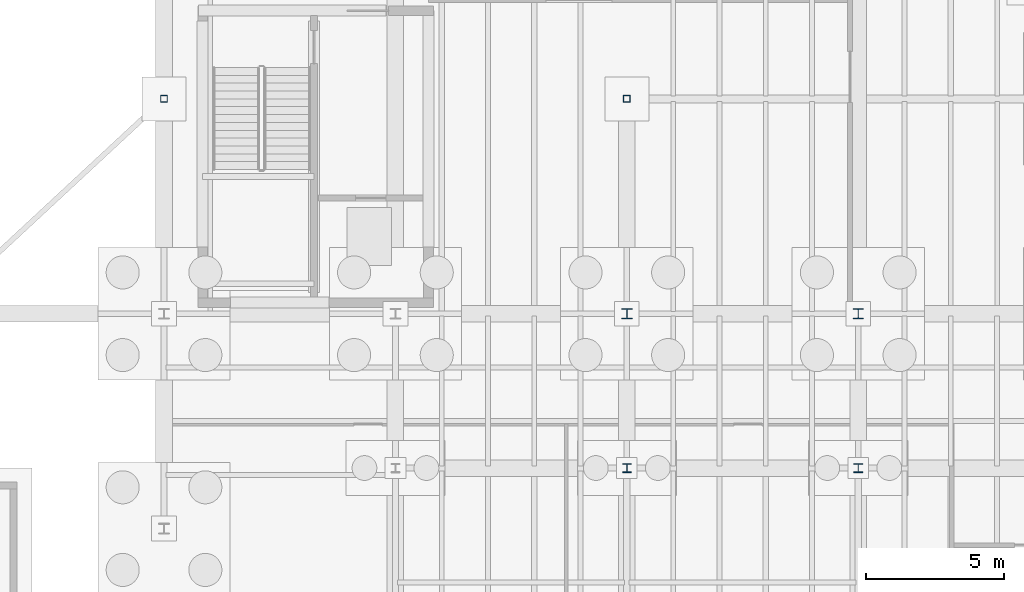
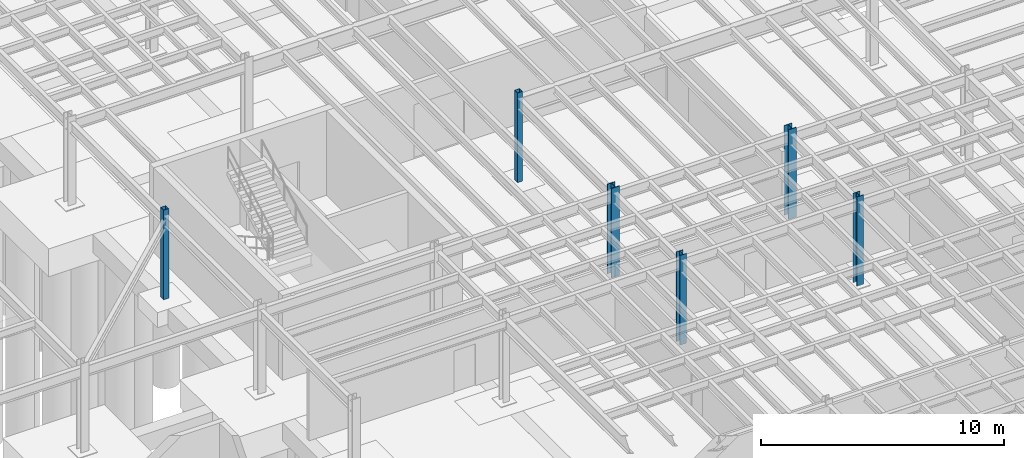
# One storey, part 8 of 41: 6 columns.
"""IFC4 building model written with IfcOpenShell, lengths in metres."""

import ifcopenshell
import ifcopenshell.guid

model = None  # the IFC model being written
_history = None  # IfcOwnerHistory: only IFC2X3 demands one
_inside = {}  # id of a spatial element -> (the spatial element, [elements in it])
_under = {}  # id of a project, library or spatial element -> (it, [spatial elements below it])
_declared = {}  # id of a project -> (the project, [libraries it declares])
_typed = {}  # id of a type object -> (the type object, [elements of that type])
_made_of = {}  # id of a material, layer set ... -> (it, [elements and type objects made of it])


def new_model(schema):
    """Start an empty IFC model of exactly this schema.

    Asked for "IFC4X3", IfcOpenShell would pick the latest addendum, in which some entities
    have other attributes; the version numbers below select the first issue.
    IFC2X3 requires an IfcOwnerHistory on every rooted entity: one is made here for all.
    """
    global model, _history
    if schema == "IFC4X3":
        model = ifcopenshell.file(schema_version=(4, 3, 0, 0))
    else:
        model = ifcopenshell.file(schema=schema)
    _inside.clear()
    _under.clear()
    _declared.clear()
    _typed.clear()
    _made_of.clear()
    _history = None
    if model.schema == "IFC2X3":
        org = make("IfcOrganization", Name="unknown")
        user = make(
            "IfcPersonAndOrganization",
            ThePerson=make("IfcPerson", FamilyName="unknown"),
            TheOrganization=org,
        )
        app = make(
            "IfcApplication",
            ApplicationDeveloper=org,
            Version="unknown",
            ApplicationFullName="unknown",
            ApplicationIdentifier="unknown",
        )
        _history = make(
            "IfcOwnerHistory",
            OwningUser=user,
            OwningApplication=app,
            ChangeAction="ADDED",
            CreationDate=0,
        )
    return model


def make(cls, **values):
    """One entity of the class cls with the attributes given. An attribute that is None is left unset."""
    return model.create_entity(
        cls, **{name: value for name, value in values.items() if value is not None}
    )


def rooted(cls, **values):
    """An entity with a GlobalId (a new one), such as an element, a storey or a relation."""
    return make(cls, GlobalId=ifcopenshell.guid.new(), OwnerHistory=_history, **values)


def si_unit(unit_type, name, prefix=None):
    """IfcSIUnit, for example si_unit("LENGTHUNIT", "METRE", prefix="MILLI")."""
    return make("IfcSIUnit", UnitType=unit_type, Prefix=prefix, Name=name)


def assignment(units):
    """IfcUnitAssignment: the units of a project."""
    return None if units is None else make("IfcUnitAssignment", Units=units)


def point(xyz):
    """IfcCartesianPoint."""
    return None if xyz is None else make("IfcCartesianPoint", Coordinates=xyz)


def direction(xyz):
    """IfcDirection."""
    return None if xyz is None else make("IfcDirection", DirectionRatios=xyz)


def frame(location, z_axis=None, x_axis=None):
    """IfcAxis2Placement3D, a coordinate frame: its origin and axes. An axis left out is left unset."""
    return make(
        "IfcAxis2Placement3D",
        Location=point(location),
        Axis=direction(z_axis),
        RefDirection=direction(x_axis),
    )


def frame_2d(location, x_axis=None):
    """IfcAxis2Placement2D, a coordinate frame in the plane: its origin and x axis."""
    return make(
        "IfcAxis2Placement2D", Location=point(location), RefDirection=direction(x_axis)
    )


def origin():
    """The frame at (0, 0, 0) with its axes left unset."""
    return frame((0.0, 0.0, 0.0))


def origin_2d():
    """The frame at (0, 0) in the plane with its x axis left unset."""
    return frame_2d((0.0, 0.0))


def place(relative_to, where):
    """IfcLocalPlacement: puts the frame where relative to a parent placement (None: the world)."""
    return make(
        "IfcLocalPlacement", PlacementRelTo=relative_to, RelativePlacement=where
    )


def context(
    kind, dimensions, precision=None, world=None, true_north=None, identifier=None
):
    """IfcGeometricRepresentationContext, for example the 3D "Model" context."""
    return make(
        "IfcGeometricRepresentationContext",
        ContextIdentifier=identifier,
        ContextType=kind,
        CoordinateSpaceDimension=dimensions,
        Precision=precision,
        WorldCoordinateSystem=world,
        TrueNorth=true_north,
    )


def subcontext(parent, identifier, kind, view, scale=None):
    """IfcGeometricRepresentationSubContext, for example "Body" below "Model"."""
    return make(
        "IfcGeometricRepresentationSubContext",
        ContextIdentifier=identifier,
        ContextType=kind,
        ParentContext=parent,
        TargetScale=scale,
        TargetView=view,
    )


def project(units=None, contexts=None):
    """IfcProject with its units and contexts."""
    return rooted(
        "IfcProject",
        Name="project",
        RepresentationContexts=contexts,
        UnitsInContext=assignment(units),
    )


def spatial(cls, under=None, at=None, **own):
    """A site, building, storey or space (cls), placed at a placement, below another one or the project."""
    s = rooted(cls, ObjectPlacement=at, **own)
    if under is not None:
        _under.setdefault(under.id(), (under, []))[1].append(s)
    return s


def profile(cls, at=None, kind="AREA", **sizes):
    """A parametric profile (cls). Its sizes go by their IFC names, for example OverallWidth=200.0."""
    return make(cls, ProfileType=kind, Position=at, **sizes)


def hollow_rectangle(**sizes):
    """IfcRectangleHollowProfileDef."""
    return profile("IfcRectangleHollowProfileDef", **sizes)


def i_section(**sizes):
    """IfcIShapeProfileDef."""
    return profile("IfcIShapeProfileDef", **sizes)


def extrude(swept, where, along, depth):
    """IfcExtrudedAreaSolid: the profile swept, set in the frame where, extruded along a direction by depth."""
    return make(
        "IfcExtrudedAreaSolid",
        SweptArea=swept,
        Position=where,
        ExtrudedDirection=direction(along),
        Depth=depth,
    )


def shape(context_of_items, identifier, shape_type, items):
    """IfcShapeRepresentation: the items that make up one representation, for example the "Body"."""
    return make(
        "IfcShapeRepresentation",
        ContextOfItems=context_of_items,
        RepresentationIdentifier=identifier,
        RepresentationType=shape_type,
        Items=items,
    )


def material(Name=None, Category=None):
    """IfcMaterial."""
    return make("IfcMaterial", Name=Name, Category=Category)


def material_profile(
    of_material, cross_section, Name=None, Category=None, Priority=None
):
    """IfcMaterialProfile: a cross section and its material."""
    return make(
        "IfcMaterialProfile",
        Name=Name,
        Material=of_material,
        Profile=cross_section,
        Priority=Priority,
        Category=Category,
    )


def profile_set(profiles, Name=None, composite=None):
    """IfcMaterialProfileSet."""
    return make(
        "IfcMaterialProfileSet",
        Name=Name,
        MaterialProfiles=profiles,
        CompositeProfile=composite,
    )


def made_of(thing, what):
    """Note that an element or type object is made of a material, layer set ...; save() writes the relation."""
    if what is not None:
        _made_of.setdefault(what.id(), (what, []))[1].append(thing)
    return thing


def type_object(cls, material=None, **own):
    """A type object (cls), such as IfcWallType, which elements share."""
    return made_of(rooted(cls, **own), material)


def element(
    cls,
    number,
    at=None,
    inside=None,
    cuts=None,
    type_object=None,
    material=None,
    context=None,
    identifier="Body",
    shape_type=None,
    held_by="IfcProductDefinitionShape",
    body=None,
    shapes=None,
    **own,
):
    """One element of the class cls, such as IfcWall. Its Tag is "e" and its number.

    at: its placement. inside: the storey or other place that contains it. cuts: it is an
    opening in that element (IfcRelVoidsElement). A single representation is given by context,
    identifier, shape_type and body (its items); several are given by shapes. held_by: the class
    of the entity that holds the representations. save() writes the other relations.
    """
    e = rooted(cls, Tag="e%d" % number, ObjectPlacement=at, **own)
    if body is not None:
        shapes = [shape(context, identifier, shape_type, body)]
    if shapes is not None:
        e.Representation = make(held_by, Representations=shapes)
    if inside is not None:
        _inside.setdefault(inside.id(), (inside, []))[1].append(e)
    if cuts is not None:
        rooted(
            "IfcRelVoidsElement", RelatingBuildingElement=cuts, RelatedOpeningElement=e
        )
    if type_object is not None:
        _typed.setdefault(type_object.id(), (type_object, []))[1].append(e)
    return made_of(e, material)


def aggregate(whole, parts):
    """IfcRelAggregates: a whole, such as a stair, and the parts it consists of."""
    return rooted("IfcRelAggregates", RelatingObject=whole, RelatedObjects=parts)


def save(model, path):
    """Write the relations noted so far, then the file.

    IfcRelAggregates (storeys below a building ...), IfcRelContainedInSpatialStructure (elements
    in a storey), IfcRelDefinesByType, IfcRelAssociatesMaterial and IfcRelDeclares: one each for
    every whole, place, type object, material and project.
    """
    for whole, parts in _under.values():
        aggregate(whole, parts)
    for where, things in _inside.values():
        rooted(
            "IfcRelContainedInSpatialStructure",
            RelatedElements=things,
            RelatingStructure=where,
        )
    for kind, things in _typed.values():
        rooted("IfcRelDefinesByType", RelatedObjects=things, RelatingType=kind)
    for what, things in _made_of.values():
        rooted("IfcRelAssociatesMaterial", RelatedObjects=things, RelatingMaterial=what)
    for by, libraries in _declared.values():
        rooted("IfcRelDeclares", RelatingContext=by, RelatedDefinitions=libraries)
    model.write(path)


model = new_model("IFC4")

# Units and contexts
model_context = context("Model", 3, precision=1e-05, world=origin(), true_north=direction((0.0, 1.0)))
body_context = subcontext(model_context, "Body", "Model", "MODEL_VIEW")
ifc_project = project(units=[si_unit("LENGTHUNIT", "METRE"), si_unit("AREAUNIT", "SQUARE_METRE"), si_unit("VOLUMEUNIT", "CUBIC_METRE"), si_unit("PLANEANGLEUNIT", "RADIAN"), si_unit("MASSUNIT", "GRAM", prefix="KILO")], contexts=[model_context])

# Site, building, storey
site_placement = place(None, origin())
site = spatial("IfcSite", under=ifc_project, at=site_placement, CompositionType="ELEMENT")
building_placement = place(site_placement, origin())
building = spatial("IfcBuilding", under=site, at=building_placement, Name="Selat Folded Stagehouse", CompositionType="ELEMENT")
storey_placement = place(building_placement, frame((0.0, 0.0, -4.5)))
storey = spatial("IfcBuildingStorey", under=building, at=storey_placement, Name="B1", CompositionType="ELEMENT", Elevation=-4.5)

# Columns
ifc_material = material(Name="Steel S355", Category="steel")
ifc_material_profile_1 = material_profile(ifc_material, i_section(OverallWidth=0.311279296875, OverallDepth=0.3271484375, WebThickness=0.015869140625, FlangeThickness=0.02490234375, FilletRadius=0.01513671875, at=origin_2d()), Name="UKC 305x305x158")
ifc_profile_set_1 = profile_set([ifc_material_profile_1], Name="Steel S355")
column_type_1 = type_object("IfcColumnType", Name="COL-UKC-305x305x158", PredefinedType="COLUMN", material=ifc_profile_set_1)
for number, where, z_axis, x_axis, name in (
    (1, (50.39990234375, 17.800048828125, 0.0), (0.0, 0.0, 1.0), (1.0, 0.0, 0.0), "B1 column STK-V5-50-178"),
    (2, (58.800048828125, 17.800048828125, 0.0), (0.0, 0.0, 1.0), (1.0, 0.0, 0.0), "B1 column STK-V5-58-178"),
):
    element("IfcColumn", number, at=place(storey_placement, frame(where, z_axis=z_axis, x_axis=x_axis)), inside=storey, type_object=column_type_1, Name=name, PredefinedType="COLUMN", context=body_context, shape_type="SweptSolid", body=[
        extrude(i_section(OverallWidth=0.311279296875, OverallDepth=0.3271484375, WebThickness=0.015869140625, FlangeThickness=0.02490234375, FilletRadius=0.01513671875, at=origin_2d()), origin(), (0.0, 0.0, 1.0), 4.5),
    ])
ifc_material_profile_2 = material_profile(ifc_material, i_section(OverallWidth=0.374755859375, OverallDepth=0.37451171875, WebThickness=0.0166015625, FlangeThickness=0.027099609375, FilletRadius=0.01513671875, at=origin_2d()), Name="UKC 356x368x202")
ifc_profile_set_2 = profile_set([ifc_material_profile_2], Name="Steel S355")
column_type_2 = type_object("IfcColumnType", Name="COL-UKC-356x368x202", PredefinedType="COLUMN", material=ifc_profile_set_2)
for number, where, z_axis, x_axis, name in (
    (3, (50.39990234375, 23.39990234375, 0.0), (0.0, 0.0, 1.0), (1.0, 0.0, 0.0), "B1 column STK-V2-15"),
    (4, (58.800048828125, 23.39990234375, 0.0), (0.0, 0.0, 1.0), (1.0, 0.0, 0.0), "B1 column STK-V2-18"),
):
    element("IfcColumn", number, at=place(storey_placement, frame(where, z_axis=z_axis, x_axis=x_axis)), inside=storey, type_object=column_type_2, Name=name, PredefinedType="COLUMN", context=body_context, shape_type="SweptSolid", body=[
        extrude(i_section(OverallWidth=0.374755859375, OverallDepth=0.37451171875, WebThickness=0.0166015625, FlangeThickness=0.027099609375, FilletRadius=0.01513671875, at=origin_2d()), origin(), (0.0, 0.0, 1.0), 4.5),
    ])
ifc_material_profile_3 = material_profile(ifc_material, hollow_rectangle(XDim=0.25, YDim=0.25, WallThickness=0.012451171875, at=origin_2d()), Name="SHS 250x250x12.5")
ifc_profile_set_3 = profile_set([ifc_material_profile_3], Name="Steel S355")
column_type_3 = type_object("IfcColumnType", Name="PIL-SHS-250x250", PredefinedType="PILASTER", material=ifc_profile_set_3)
for number, where, z_axis, x_axis, name in (
    (5, (33.60009765625, 31.199951171875, 0.0), (0.0, 0.0, 1.0), (1.0, 0.0, 0.0), "B1 pilaster 1"),
    (6, (50.39990234375, 31.199951171875, 0.0), (0.0, 0.0, 1.0), (1.0, 0.0, 0.0), "B1 pilaster 2"),
):
    element("IfcColumn", number, at=place(storey_placement, frame(where, z_axis=z_axis, x_axis=x_axis)), inside=storey, type_object=column_type_3, Name=name, PredefinedType="PILASTER", context=body_context, shape_type="SweptSolid", body=[
        extrude(hollow_rectangle(XDim=0.25, YDim=0.25, WallThickness=0.012451171875, at=origin_2d()), origin(), (0.0, 0.0, 1.0), 4.5),
    ])

save(model, "model.ifc")
